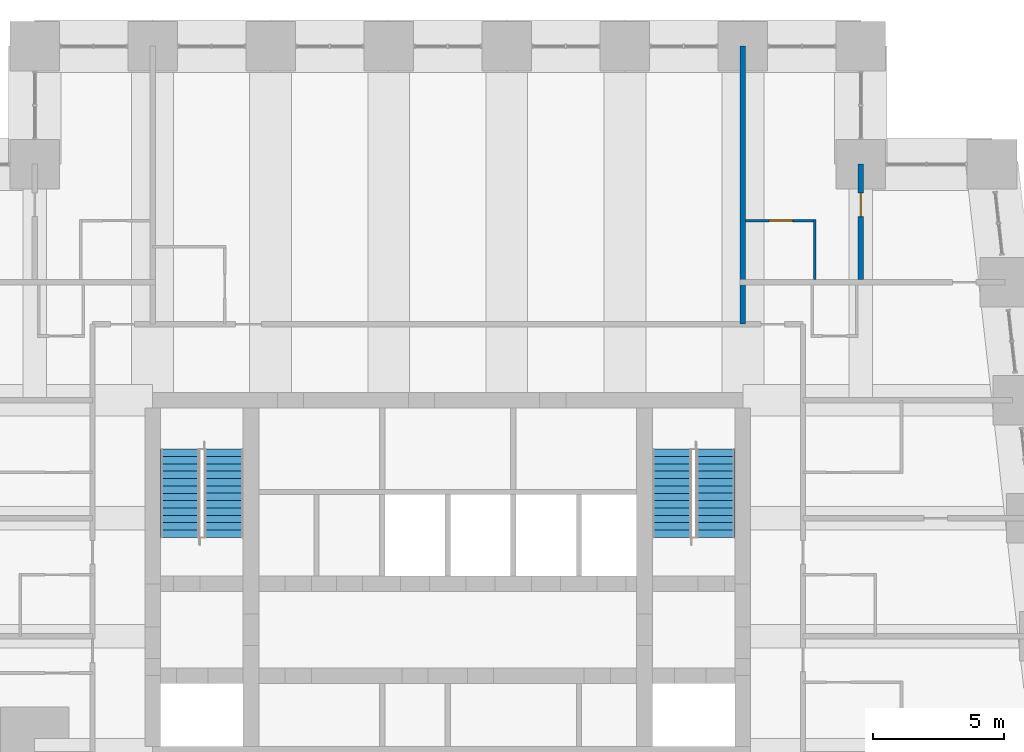
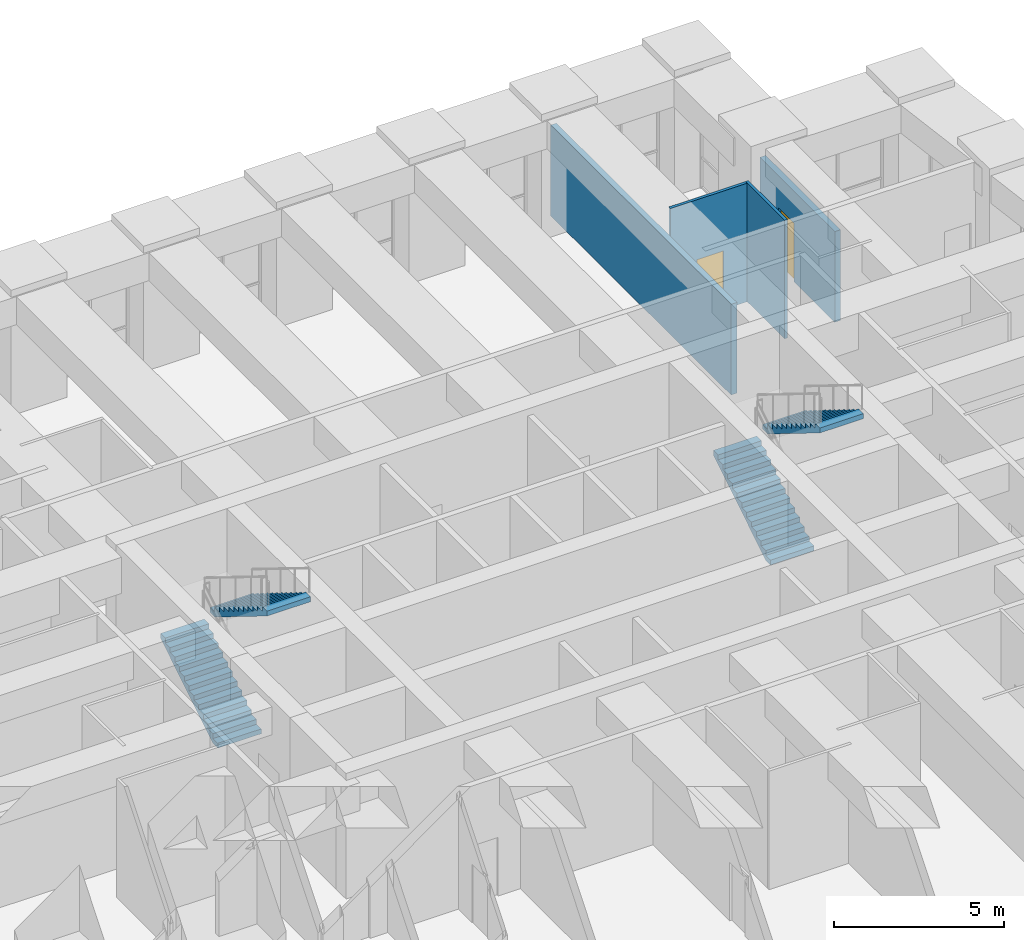
# One storey, part 15 of 16: 4 stair flights, 4 walls, 2 doors, 2 openings, 2 elements without a shape of their own.
"""IFC4 building model written with IfcOpenShell, lengths in metres."""

from ifc_helpers import new_model, si_unit, direction, frame, frame_2d, origin, place, context, subcontext, project, spatial, polyline, rectangle, outline, extrude, material, layer, layer_set, type_object, element, fill, aggregate, save


model = new_model("IFC4")

# Units and contexts
model_context = context("Model", 3, precision=1e-05, world=origin(), true_north=direction((0.0, 1.0)))
body_context = subcontext(model_context, "Body", "Model", "MODEL_VIEW")
ifc_project = project(units=[si_unit("LENGTHUNIT", "METRE"), si_unit("AREAUNIT", "SQUARE_METRE"), si_unit("VOLUMEUNIT", "CUBIC_METRE"), si_unit("PLANEANGLEUNIT", "RADIAN"), si_unit("MASSUNIT", "GRAM", prefix="KILO")], contexts=[model_context])

# Site, building, storey
site_placement = place(None, origin())
site = spatial("IfcSite", under=ifc_project, at=site_placement, CompositionType="ELEMENT")
building_placement = place(site_placement, origin())
building = spatial("IfcBuilding", under=site, at=building_placement, Name="Kilele Tower Hotel", CompositionType="ELEMENT")
storey_placement = place(building_placement, frame((0.0, 0.0, 157.89990234375)))
storey = spatial("IfcBuildingStorey", under=building, at=storey_placement, Name="L40", CompositionType="ELEMENT", Elevation=157.89990234375)

# Wall
ifc_material_1 = material(Name="Moisture-resistant board")
ifc_layer_1 = layer(ifc_material_1, 0.10009765625)
ifc_layer_set_1 = layer_set([ifc_layer_1], Name="Moisture-resistant board")
wall_type_1 = type_object("IfcWallType", Name="Bathroom partition 100", PredefinedType="PLUMBINGWALL", material=ifc_layer_set_1)
wall_1_placement = place(storey_placement, frame((38.75, 31.60009765625, 0.0), z_axis=(0.0, 0.0, 1.0), x_axis=(0.0, 1.0, 0.0)))
element("IfcWall", 1, at=wall_1_placement, inside=storey, type_object=wall_type_1, Name="Bathroom partition 100 L40", PredefinedType="PLUMBINGWALL", context=body_context, shape_type="SweptSolid", body=[
    extrude(rectangle(XDim=2.2998046875, YDim=0.10009765625, at=frame_2d((1.14990234375, 0.0))), origin(), (0.0, 0.0, 1.0), 4.25),
])

# Wall, opening, door
wall_2_placement = place(storey_placement, frame((36.10009765625, 33.85009765625, 0.0), z_axis=(0.0, 0.0, 1.0), x_axis=(1.0, 0.0, 0.0)))
wall_2 = element("IfcWall", 2, at=wall_2_placement, inside=storey, type_object=wall_type_1, Name="Bathroom partition 100 L40", PredefinedType="PLUMBINGWALL", context=body_context, shape_type="SweptSolid", body=[
    extrude(rectangle(XDim=2.699951171875, YDim=0.10009765625, at=frame_2d((1.35009765625, 0.0))), origin(), (0.0, 0.0, 1.0), 4.25),
])
opening_1_placement = place(wall_2_placement, frame((0.89990234375, 0.0, 0.0)))
opening_1 = element("IfcOpeningElement", 3, at=opening_1_placement, cuts=wall_2, Name="Opening D2A", PredefinedType="OPENING", context=body_context, shape_type="SweptSolid", body=[
    extrude(rectangle(XDim=0.89990234375, YDim=2.10009765625, at=frame_2d((0.449951171875, 1.050048828125))), frame((0.0, 0.06005859375, 0.0), z_axis=(0.0, -1.0, 0.0), x_axis=(1.0, 0.0, 0.0)), (0.0, 0.0, 1.0), 0.1201171875),
])
ifc_material_2 = material(Name="Timber door leaf in hardwood frame", Category="wood")
door_type_1 = type_object("IfcDoorType", Name="Bathroom door 900", OperationType="SINGLE_SWING_LEFT", PredefinedType="DOOR", material=ifc_material_2)
door_1_placement = place(opening_1_placement, origin())
door_1 = element("IfcDoor", 4, at=door_1_placement, inside=storey, type_object=door_type_1, Name="Bathroom door 4019B", OperationType="SINGLE_SWING_LEFT", OverallHeight=2.10009765625, OverallWidth=0.89990234375, PredefinedType="DOOR", context=body_context, shape_type="SweptSolid", body=[
    extrude(rectangle(XDim=0.89990234375, YDim=2.10009765625, at=frame_2d((0.449951171875, 1.050048828125))), frame((0.0, 0.02490234375, 0.0), z_axis=(0.0, -1.0, 0.0), x_axis=(1.0, 0.0, 0.0)), (0.0, 0.0, 1.0), 0.050048828125),
])
fill(opening_1, door_1)

ifc_material_3 = material(Name="Blockwork, plastered both sides", Category="masonry")
ifc_layer_2 = layer(ifc_material_3, 0.199951171875)
ifc_layer_set_2 = layer_set([ifc_layer_2], Name="Blockwork, plastered both sides")
wall_type_2 = type_object("IfcWallType", Name="Partition wall 200", PredefinedType="PARTITIONING", material=ifc_layer_set_2)
wall_3_placement = place(storey_placement, frame((40.5, 31.60009765625, 0.0), z_axis=(0.0, 0.0, 1.0), x_axis=(0.0, 1.0, 0.0)))
wall_3 = element("IfcWall", 5, at=wall_3_placement, inside=storey, type_object=wall_type_2, Name="Partition wall 200 L40", PredefinedType="PARTITIONING", context=body_context, shape_type="SweptSolid", body=[
    extrude(rectangle(XDim=4.39990234375, YDim=0.199951171875, at=frame_2d((2.199951171875, 0.0))), origin(), (0.0, 0.0, 1.0), 3.25),
])
opening_2_placement = place(wall_3_placement, frame((2.39990234375, 0.0, 0.0)))
opening_2 = element("IfcOpeningElement", 6, at=opening_2_placement, cuts=wall_3, Name="Opening D3", PredefinedType="OPENING", context=body_context, shape_type="SweptSolid", body=[
    extrude(rectangle(XDim=0.89990234375, YDim=2.10009765625, at=frame_2d((0.449951171875, 1.050048828125))), frame((0.0, 0.10986328125, 0.0), z_axis=(0.0, -1.0, 0.0), x_axis=(1.0, 0.0, 0.0)), (0.0, 0.0, 1.0), 0.219970703125),
])
ifc_material_4 = material(Name="Timber door leaf in hardwood frame", Category="wood")
door_type_2 = type_object("IfcDoorType", Name="Suite internal door 900", OperationType="SINGLE_SWING_LEFT", PredefinedType="DOOR", material=ifc_material_4)
door_2_placement = place(opening_2_placement, origin())
door_2 = element("IfcDoor", 7, at=door_2_placement, inside=storey, type_object=door_type_2, Name="Suite door 4020", OperationType="SINGLE_SWING_RIGHT", OverallHeight=2.10009765625, OverallWidth=0.89990234375, PredefinedType="DOOR", context=body_context, shape_type="SweptSolid", body=[
    extrude(rectangle(XDim=0.89990234375, YDim=2.10009765625, at=frame_2d((0.449951171875, 1.050048828125))), frame((0.0, 0.02490234375, 0.0), z_axis=(0.0, -1.0, 0.0), x_axis=(1.0, 0.0, 0.0)), (0.0, 0.0, 1.0), 0.050048828125),
])
fill(opening_2, door_2)

# Wall
ifc_material_5 = material(Name="Blockwork, plastered both sides", Category="masonry")
ifc_layer_3 = layer(ifc_material_5, 0.199951171875)
ifc_layer_set_3 = layer_set([ifc_layer_3], Name="Blockwork, plastered both sides")
wall_type_3 = type_object("IfcWallType", Name="Party wall 200", PredefinedType="PARTITIONING", material=ifc_layer_set_3)
wall_4_placement = place(storey_placement, frame((36.0, 29.89990234375, 0.0), z_axis=(0.0, 0.0, 1.0), x_axis=(0.0, 1.0, 0.0)))
element("IfcWall", 8, at=wall_4_placement, inside=storey, type_object=wall_type_3, Name="Party wall 200 L40", PredefinedType="PARTITIONING", context=body_context, shape_type="SweptSolid", body=[
    extrude(rectangle(XDim=10.60009765625, YDim=0.199951171875, at=frame_2d((5.300048828125, 0.0))), origin(), (0.0, 0.0, 1.0), 3.25),
])

# Stair, stair flights
ifc_material_6 = material(Name="Precast concrete C40/50", Category="concrete")
stair_type = type_object("IfcStairType", Name="Stair 1475 x 4500", PredefinedType="HALF_TURN_STAIR", material=ifc_material_6)
stair_1_placement = place(storey_placement, origin())
stair_1 = element("IfcStair", 9, at=stair_1_placement, inside=storey, type_object=stair_type, Name="Stair 1 L40", PredefinedType="HALF_TURN_STAIR")
ifc_material_7 = material(Name="Precast concrete C40/50", Category="concrete")
stair_flight_type = type_object("IfcStairFlightType", Name="Flight 1475 riser 173.1", PredefinedType="STRAIGHT", material=ifc_material_7)
stair_flight_1_placement = place(storey_placement, frame((14.53759765625, 21.77490234375, 0.0), z_axis=(0.0, 0.0, 1.0), x_axis=(0.0, 1.0, 0.0)))
stair_flight_1 = element("IfcStairFlight", 10, at=stair_flight_1_placement, type_object=stair_flight_type, Name="ST1 flight 1", NumberOfRisers=13, NumberOfTreads=12, PredefinedType="STRAIGHT", RiserHeight=0.173076923, TreadLength=0.28, context=body_context, shape_type="SweptSolid", body=[
    extrude(outline(polyline([(0.0, 0.0), (0.0, 0.173095703125), (0.280029296875, 0.173095703125), (0.280029296875, 0.34619140625), (0.56005859375, 0.34619140625), (0.56005859375, 0.519287109375), (0.840087890625, 0.519287109375), (0.840087890625, 0.6923828125), (1.1201171875, 0.6923828125), (1.1201171875, 0.865478515625), (1.39990234375, 0.865478515625), (1.39990234375, 1.03857421875), (1.679931640625, 1.03857421875), (1.679931640625, 1.21142578125), (1.9599609375, 1.21142578125), (1.9599609375, 1.384521484375), (2.239990234375, 1.384521484375), (2.239990234375, 1.5576171875), (2.52001953125, 1.5576171875), (2.52001953125, 1.730712890625), (2.800048828125, 1.730712890625), (2.800048828125, 1.90380859375), (3.080078125, 1.90380859375), (3.080078125, 2.076904296875), (3.360107421875, 2.076904296875), (3.360107421875, 2.25), (3.360107421875, 1.900634765625), (0.28515625, 0.0), (0.0, 0.0)])), frame((0.0, 0.737548828125, 0.0), z_axis=(0.0, -1.0, 0.0), x_axis=(1.0, 0.0, 0.0)), (0.0, 0.0, 1.0), 1.47509765625),
])
stair_flight_2_placement = place(storey_placement, frame((16.21240234375, 25.135009765625, 2.25), z_axis=(0.0, 0.0, 1.0), x_axis=(0.0, -1.0, 0.0)))
stair_flight_2 = element("IfcStairFlight", 11, at=stair_flight_2_placement, type_object=stair_flight_type, Name="ST1 flight 2", NumberOfRisers=13, NumberOfTreads=12, PredefinedType="STRAIGHT", RiserHeight=0.173076923, TreadLength=0.28, context=body_context, shape_type="SweptSolid", body=[
    extrude(outline(polyline([(0.0, 0.0), (0.0, 0.173095703125), (0.280029296875, 0.173095703125), (0.280029296875, 0.34619140625), (0.56005859375, 0.34619140625), (0.56005859375, 0.519287109375), (0.840087890625, 0.519287109375), (0.840087890625, 0.6923828125), (1.1201171875, 0.6923828125), (1.1201171875, 0.865478515625), (1.39990234375, 0.865478515625), (1.39990234375, 1.03857421875), (1.679931640625, 1.03857421875), (1.679931640625, 1.21142578125), (1.9599609375, 1.21142578125), (1.9599609375, 1.384521484375), (2.239990234375, 1.384521484375), (2.239990234375, 1.5576171875), (2.52001953125, 1.5576171875), (2.52001953125, 1.730712890625), (2.800048828125, 1.730712890625), (2.800048828125, 1.90380859375), (3.080078125, 1.90380859375), (3.080078125, 2.076904296875), (3.360107421875, 2.076904296875), (3.360107421875, 2.25), (3.360107421875, 1.900634765625), (0.28515625, 0.0), (0.0, 0.0)])), frame((0.0, 0.737548828125, 0.0), z_axis=(0.0, -1.0, 0.0), x_axis=(1.0, 0.0, 0.0)), (0.0, 0.0, 1.0), 1.47509765625),
])
aggregate(stair_1, [stair_flight_1, stair_flight_2])

stair_2_placement = place(storey_placement, origin())
stair_2 = element("IfcStair", 12, at=stair_2_placement, inside=storey, type_object=stair_type, Name="Stair 2 L40", PredefinedType="HALF_TURN_STAIR")
stair_flight_3_placement = place(storey_placement, frame((33.28759765625, 21.77490234375, 0.0), z_axis=(0.0, 0.0, 1.0), x_axis=(0.0, 1.0, 0.0)))
stair_flight_3 = element("IfcStairFlight", 13, at=stair_flight_3_placement, type_object=stair_flight_type, Name="ST2 flight 1", NumberOfRisers=13, NumberOfTreads=12, PredefinedType="STRAIGHT", RiserHeight=0.173076923, TreadLength=0.28, context=body_context, shape_type="SweptSolid", body=[
    extrude(outline(polyline([(0.0, 0.0), (0.0, 0.173095703125), (0.280029296875, 0.173095703125), (0.280029296875, 0.34619140625), (0.56005859375, 0.34619140625), (0.56005859375, 0.519287109375), (0.840087890625, 0.519287109375), (0.840087890625, 0.6923828125), (1.1201171875, 0.6923828125), (1.1201171875, 0.865478515625), (1.39990234375, 0.865478515625), (1.39990234375, 1.03857421875), (1.679931640625, 1.03857421875), (1.679931640625, 1.21142578125), (1.9599609375, 1.21142578125), (1.9599609375, 1.384521484375), (2.239990234375, 1.384521484375), (2.239990234375, 1.5576171875), (2.52001953125, 1.5576171875), (2.52001953125, 1.730712890625), (2.800048828125, 1.730712890625), (2.800048828125, 1.90380859375), (3.080078125, 1.90380859375), (3.080078125, 2.076904296875), (3.360107421875, 2.076904296875), (3.360107421875, 2.25), (3.360107421875, 1.900634765625), (0.28515625, 0.0), (0.0, 0.0)])), frame((0.0, 0.737548828125, 0.0), z_axis=(0.0, -1.0, 0.0), x_axis=(1.0, 0.0, 0.0)), (0.0, 0.0, 1.0), 1.47509765625),
])
stair_flight_4_placement = place(storey_placement, frame((34.96240234375, 25.135009765625, 2.25), z_axis=(0.0, 0.0, 1.0), x_axis=(0.0, -1.0, 0.0)))
stair_flight_4 = element("IfcStairFlight", 14, at=stair_flight_4_placement, type_object=stair_flight_type, Name="ST2 flight 2", NumberOfRisers=13, NumberOfTreads=12, PredefinedType="STRAIGHT", RiserHeight=0.173076923, TreadLength=0.28, context=body_context, shape_type="SweptSolid", body=[
    extrude(outline(polyline([(0.0, 0.0), (0.0, 0.173095703125), (0.280029296875, 0.173095703125), (0.280029296875, 0.34619140625), (0.56005859375, 0.34619140625), (0.56005859375, 0.519287109375), (0.840087890625, 0.519287109375), (0.840087890625, 0.6923828125), (1.1201171875, 0.6923828125), (1.1201171875, 0.865478515625), (1.39990234375, 0.865478515625), (1.39990234375, 1.03857421875), (1.679931640625, 1.03857421875), (1.679931640625, 1.21142578125), (1.9599609375, 1.21142578125), (1.9599609375, 1.384521484375), (2.239990234375, 1.384521484375), (2.239990234375, 1.5576171875), (2.52001953125, 1.5576171875), (2.52001953125, 1.730712890625), (2.800048828125, 1.730712890625), (2.800048828125, 1.90380859375), (3.080078125, 1.90380859375), (3.080078125, 2.076904296875), (3.360107421875, 2.076904296875), (3.360107421875, 2.25), (3.360107421875, 1.900634765625), (0.28515625, 0.0), (0.0, 0.0)])), frame((0.0, 0.737548828125, 0.0), z_axis=(0.0, -1.0, 0.0), x_axis=(1.0, 0.0, 0.0)), (0.0, 0.0, 1.0), 1.47509765625),
])
aggregate(stair_2, [stair_flight_3, stair_flight_4])

save(model, "model.ifc")
